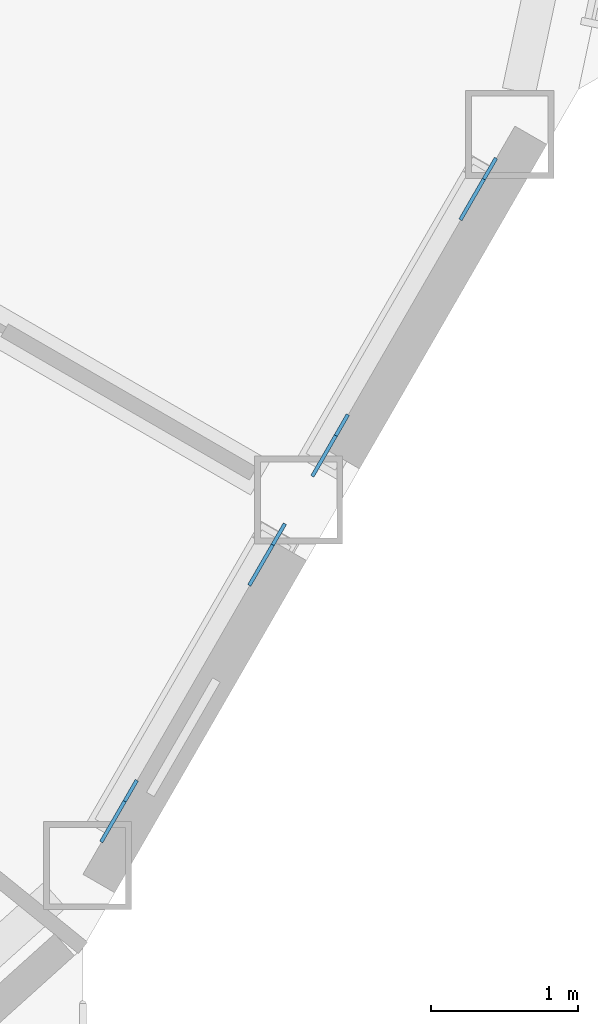
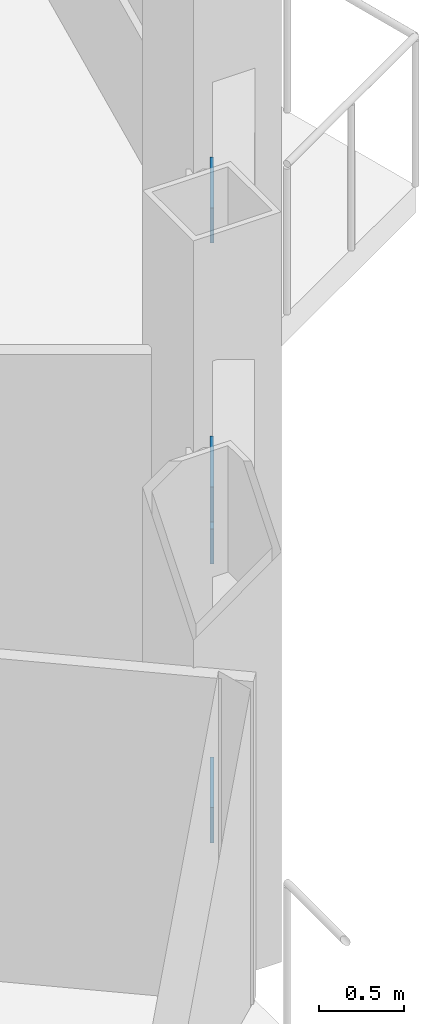
# One storey, part 21 of 27: 4 discrete accessories.
"""IFC4 building model written with IfcOpenShell, lengths in metres."""

from ifc_helpers import new_model, si_unit, direction, frame, origin, origin_2d, place, context, subcontext, project, spatial, rectangle, extrude, material, material_profile, profile_set, type_object, element, save


model = new_model("IFC4")

# Units and contexts
model_context = context("Model", 3, precision=1e-05, world=origin(), true_north=direction((0.0, 1.0)))
body_context = subcontext(model_context, "Body", "Model", "MODEL_VIEW")
ifc_project = project(units=[si_unit("LENGTHUNIT", "METRE"), si_unit("AREAUNIT", "SQUARE_METRE"), si_unit("VOLUMEUNIT", "CUBIC_METRE"), si_unit("PLANEANGLEUNIT", "RADIAN"), si_unit("MASSUNIT", "GRAM", prefix="KILO")], contexts=[model_context])

# Site, building, storey
site_placement = place(None, origin())
site = spatial("IfcSite", under=ifc_project, at=site_placement, CompositionType="ELEMENT")
building_placement = place(site_placement, origin())
building = spatial("IfcBuilding", under=site, at=building_placement, Name="Cormorant Prow Tower", CompositionType="ELEMENT")
storey_placement = place(building_placement, frame((0.0, 0.0, 312.0)))
storey = spatial("IfcBuildingStorey", under=building, at=storey_placement, Name="L68", CompositionType="ELEMENT", Elevation=312.0)

# Discrete accessories
ifc_material = material(Name="Structural steel ASTM A500 Gr C", Category="steel")
ifc_material_profile = material_profile(ifc_material, rectangle(XDim=0.02490234375, YDim=0.405029296875, at=origin_2d()), Name="Gusset plate 25x405")
ifc_profile_set = profile_set([ifc_material_profile], Name="Structural steel ASTM A500 Gr C")
discrete_accessory_type = type_object("IfcDiscreteAccessoryType", Name="Gusset plate 25x405", PredefinedType="BRACKET", material=ifc_profile_set)
discrete_accessory_1_placement = place(storey_placement, frame((26.289794921875, -17.817138671875, 0.86376953125), z_axis=(-0.456791619277, -0.790144892581, -0.408671586101), x_axis=(0.865740004385, -0.50049400077, 0.0)))
element("IfcDiscreteAccessory", 1, at=discrete_accessory_1_placement, inside=storey, type_object=discrete_accessory_type, Name="Gusset plate GP3 L68.ESE00.g0", PredefinedType="BRACKET", context=body_context, shape_type="SweptSolid", body=[
    extrude(rectangle(XDim=0.02490234375, YDim=0.405029296875, at=origin_2d()), origin(), (0.0, 0.0, 1.0), 0.35009765625),
])
for number, where, z_axis, x_axis, name in (
    (2, (27.137939453125, -16.34765625, 1.6240234375), (0.456360760472, 0.789908839227, 0.4096082055), (-0.865879799044, 0.500252110048, 0.0), "Gusset plate GP3 L68.ESE00.g1"),
    (3, (27.7265625, -15.328369140625, 0.86376953125), (-0.456239480558, -0.790396531303, -0.408801736402), (0.866071029786, -0.499920965119, 0.0), "Gusset plate GP3 L68.ESE01.g0"),
):
    element("IfcDiscreteAccessory", number, at=place(storey_placement, frame(where, z_axis=z_axis, x_axis=x_axis)), inside=storey, type_object=discrete_accessory_type, Name=name, PredefinedType="BRACKET", context=body_context, shape_type="SweptSolid", body=[
        extrude(rectangle(XDim=0.02490234375, YDim=0.405029296875, at=origin_2d()), origin(), (0.0, 0.0, 1.0), 0.349853515625),
    ])
discrete_accessory_2_placement = place(storey_placement, frame((28.574951171875, -13.85888671875, 1.6240234375), z_axis=(0.456109312262, 0.790171025676, 0.409382517274), x_axis=(-0.866071029786, 0.499920965119, 0.0)))
element("IfcDiscreteAccessory", 4, at=discrete_accessory_2_placement, inside=storey, type_object=discrete_accessory_type, Name="Gusset plate GP3 L68.ESE01.g1", PredefinedType="BRACKET", context=body_context, shape_type="SweptSolid", body=[
    extrude(rectangle(XDim=0.02490234375, YDim=0.405029296875, at=origin_2d()), origin(), (0.0, 0.0, 1.0), 0.35009765625),
])

save(model, "model.ifc")
